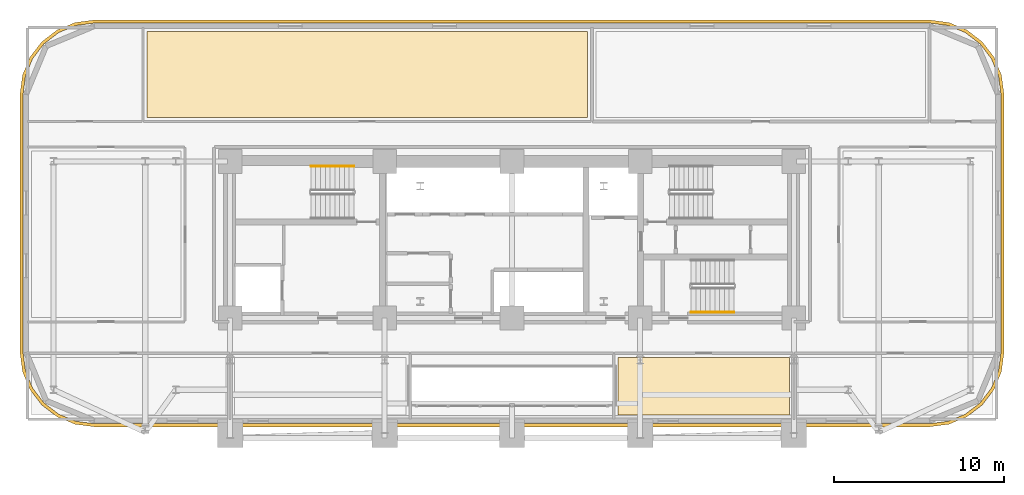
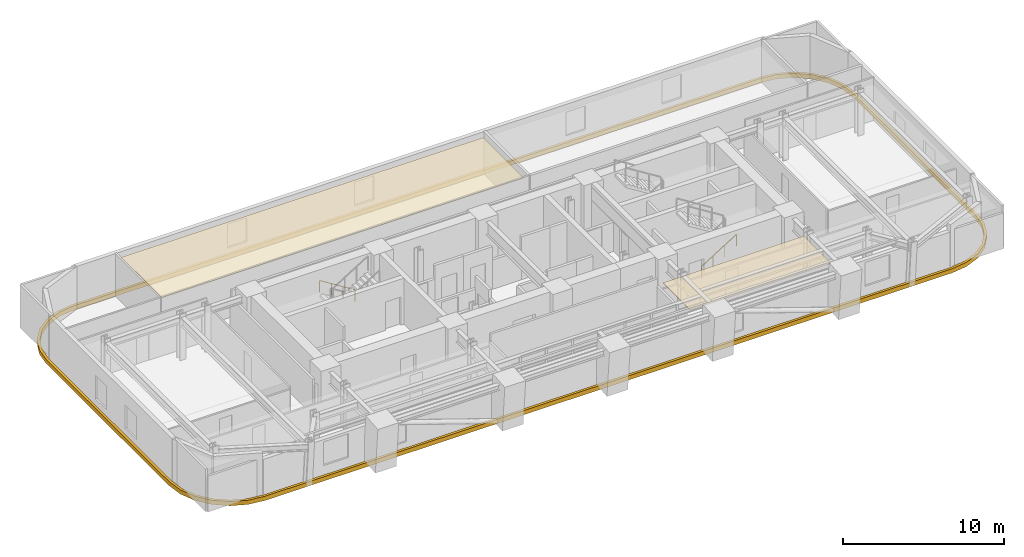
# One storey, part 14 of 15: 3 coverings, 2 railings.
"""IFC4 building model written with IfcOpenShell, lengths in metres."""

from ifc_helpers import new_model, si_unit, direction, frame, origin, origin_2d, place, context, subcontext, project, spatial, polyline, rectangle, outline, extrude, material, layer, layer_set, type_object, element, save


model = new_model("IFC4")

# Units and contexts
model_context = context("Model", 3, precision=1e-05, world=origin(), true_north=direction((0.0, 1.0)))
body_context = subcontext(model_context, "Body", "Model", "MODEL_VIEW")
ifc_project = project(units=[si_unit("LENGTHUNIT", "METRE"), si_unit("AREAUNIT", "SQUARE_METRE"), si_unit("VOLUMEUNIT", "CUBIC_METRE"), si_unit("PLANEANGLEUNIT", "RADIAN"), si_unit("MASSUNIT", "GRAM", prefix="KILO")], contexts=[model_context])

# Site, building, storey
site_placement = place(None, origin())
site = spatial("IfcSite", under=ifc_project, at=site_placement, CompositionType="ELEMENT")
building_placement = place(site_placement, origin())
building = spatial("IfcBuilding", under=site, at=building_placement, Name="Zarnavel Station Tower", CompositionType="ELEMENT")
storey_placement = place(building_placement, frame((0.0, 0.0, 57.0)))
storey = spatial("IfcBuildingStorey", under=building, at=storey_placement, Name="L15", CompositionType="ELEMENT", Elevation=57.0)

# Coverings
ifc_material_1 = material(Name="Perforated Gypsum and Mineral-Wool Acoustic Ceiling", Category="concrete")
ifc_layer = layer(ifc_material_1, 0.0400390625)
ifc_layer_set = layer_set([ifc_layer], Name="COV_CEIL_ACOUSTIC")
covering_type_1 = type_object("IfcCoveringType", Name="COV_CEIL_ACOUSTIC", PredefinedType="CEILING", material=ifc_layer_set)
covering_1_placement = place(storey_placement, frame((0.0, 0.0, 2.919921875)))
element("IfcCovering", 1, at=covering_1_placement, inside=storey, type_object=covering_type_1, Name="L15 NL4A Acoustic Ceiling", PredefinedType="CEILING", context=body_context, shape_type="SweptSolid", body=[
    extrude(outline(polyline([(7.31005859375, 39.64990234375), (33.25, 39.64990234375), (33.25, 44.68994140625), (7.31005859375, 44.68994140625), (7.31005859375, 39.64990234375)])), origin(), (0.0, 0.0, 1.0), 0.0400390625),
])
covering_2_placement = place(storey_placement, frame((0.0, 0.0, 2.919921875)))
element("IfcCovering", 2, at=covering_2_placement, inside=storey, type_object=covering_type_1, Name="L15 Z1GYM Acoustic Ceiling", PredefinedType="CEILING", context=body_context, shape_type="SweptSolid", body=[
    extrude(outline(polyline([(35.050048828125, 22.110107421875), (45.14990234375, 22.110107421875), (45.14990234375, 25.5), (35.050048828125, 25.5), (35.050048828125, 22.110107421875)])), origin(), (0.0, 0.0, 1.0), 0.0400390625),
])
ifc_material_2 = material(Name="Precast concrete C45/55 (Pale Travertine Slab Band)", Category="masonry")
covering_type_2 = type_object("IfcCoveringType", Name="COV_TRAVERTINE_BAND", PredefinedType="CLADDING", material=ifc_material_2)
covering_3_placement = place(storey_placement, frame((0.0, 0.0, -0.260009765625)))
element("IfcCovering", 3, at=covering_3_placement, inside=storey, type_object=covering_type_2, Name="L15 Pale Travertine Slab-Edge Band", PredefinedType="CLADDING", context=body_context, shape_type="SweptSolid", body=[
    extrude(outline(polyline([(53.39990234375, 21.419921875), (54.53369140625, 21.569091796875), (55.590087890625, 22.0068359375), (56.4970703125, 22.702880859375), (57.193115234375, 23.610107421875), (57.630859375, 24.66650390625), (57.780029296875, 25.800048828125), (57.780029296875, 41.0), (57.630859375, 42.133544921875), (57.193115234375, 43.18994140625), (56.4970703125, 44.09716796875), (55.590087890625, 44.793212890625), (54.53369140625, 45.230712890625), (53.39990234375, 45.3798828125), (4.199951171875, 45.3798828125), (3.06640625, 45.230712890625), (2.010009765625, 44.793212890625), (1.102783203125, 44.09716796875), (0.40673828125, 43.18994140625), (-0.03076171875, 42.133544921875), (-0.179931640625, 41.0), (-0.179931640625, 25.800048828125), (-0.03076171875, 24.66650390625), (0.40673828125, 23.610107421875), (1.102783203125, 22.702880859375), (2.010009765625, 22.0068359375), (3.06640625, 21.569091796875), (4.199951171875, 21.419921875), (53.39990234375, 21.419921875)]), holes=[polyline([(53.39990234375, 21.60009765625), (54.487060546875, 21.7431640625), (55.5, 22.16259765625), (56.369873046875, 22.830078125), (57.037353515625, 23.699951171875), (57.456787109375, 24.712890625), (57.60009765625, 25.800048828125), (57.60009765625, 41.0), (57.456787109375, 42.0869140625), (57.037353515625, 43.10009765625), (56.369873046875, 43.9697265625), (55.5, 44.63720703125), (54.487060546875, 45.056884765625), (53.39990234375, 45.199951171875), (4.199951171875, 45.199951171875), (3.113037109375, 45.056884765625), (2.10009765625, 44.63720703125), (1.230224609375, 43.9697265625), (0.562744140625, 43.10009765625), (0.14306640625, 42.0869140625), (0.0, 41.0), (0.0, 25.800048828125), (0.14306640625, 24.712890625), (0.562744140625, 23.699951171875), (1.230224609375, 22.830078125), (2.10009765625, 22.16259765625), (3.113037109375, 21.7431640625), (4.199951171875, 21.60009765625), (53.39990234375, 21.60009765625)])]), origin(), (0.0, 0.0, 1.0), 0.320068359375),
])

# Railings
ifc_material_3 = material(Name="Brushed Stainless Steel S355J2 Handrail", Category="steel")
railing_type = type_object("IfcRailingType", Name="HR_STAIR_900", PredefinedType="HANDRAIL", material=ifc_material_3)
railing_1_placement = place(storey_placement, frame((19.47998046875, 36.77001953125, 0.175048828125)))
element("IfcRailing", 4, at=railing_1_placement, inside=storey, type_object=railing_type, Name="L15 ST1 stair handrail 1", PredefinedType="HANDRAIL", context=body_context, shape_type="SweptSolid", body=[
    extrude(rectangle(XDim=0.048095703125, YDim=0.048095703125, at=origin_2d()), frame((-0.001708984375, 0.0, 0.876953125), z_axis=(-0.848007534815, 0.0, 0.529984170421), x_axis=(0.0, -1.0, 0.0)), (0.0, 0.0, 1.0), 2.9677734375),
    extrude(rectangle(XDim=0.0419921875, YDim=0.0419921875, at=origin_2d()), origin(), (0.0, 0.0, 1.0), 0.851806640625),
    extrude(rectangle(XDim=0.0419921875, YDim=0.0419921875, at=origin_2d()), frame((-0.840087890625, 0.0, 0.52490234375)), (0.0, 0.0, 1.0), 0.851806640625),
    extrude(rectangle(XDim=0.0419921875, YDim=0.0419921875, at=origin_2d()), frame((-1.679931640625, 0.0, 1.050048828125)), (0.0, 0.0, 1.0), 0.851806640625),
    extrude(rectangle(XDim=0.0419921875, YDim=0.0419921875, at=origin_2d()), frame((-2.52001953125, 0.0, 1.574951171875)), (0.0, 0.0, 1.0), 0.851806640625),
])
railing_2_placement = place(storey_placement, frame((39.35009765625, 28.169921875, 0.175048828125)))
element("IfcRailing", 5, at=railing_2_placement, inside=storey, type_object=railing_type, Name="L15 ST3 stair handrail 1", PredefinedType="HANDRAIL", context=body_context, shape_type="SweptSolid", body=[
    extrude(rectangle(XDim=0.048095703125, YDim=0.048095703125, at=origin_2d()), frame((0.001708984375, 0.0, 0.876953125), z_axis=(0.848007534815, 0.0, 0.529984170421), x_axis=(0.0, 1.0, 0.0)), (0.0, 0.0, 1.0), 2.9677734375),
    extrude(rectangle(XDim=0.0419921875, YDim=0.0419921875, at=origin_2d()), origin(), (0.0, 0.0, 1.0), 0.851806640625),
    extrude(rectangle(XDim=0.0419921875, YDim=0.0419921875, at=origin_2d()), frame((0.840087890625, 0.0, 0.52490234375)), (0.0, 0.0, 1.0), 0.851806640625),
    extrude(rectangle(XDim=0.0419921875, YDim=0.0419921875, at=origin_2d()), frame((1.679931640625, 0.0, 1.050048828125)), (0.0, 0.0, 1.0), 0.851806640625),
    extrude(rectangle(XDim=0.0419921875, YDim=0.0419921875, at=origin_2d()), frame((2.52001953125, 0.0, 1.574951171875)), (0.0, 0.0, 1.0), 0.851806640625),
])

save(model, "model.ifc")
